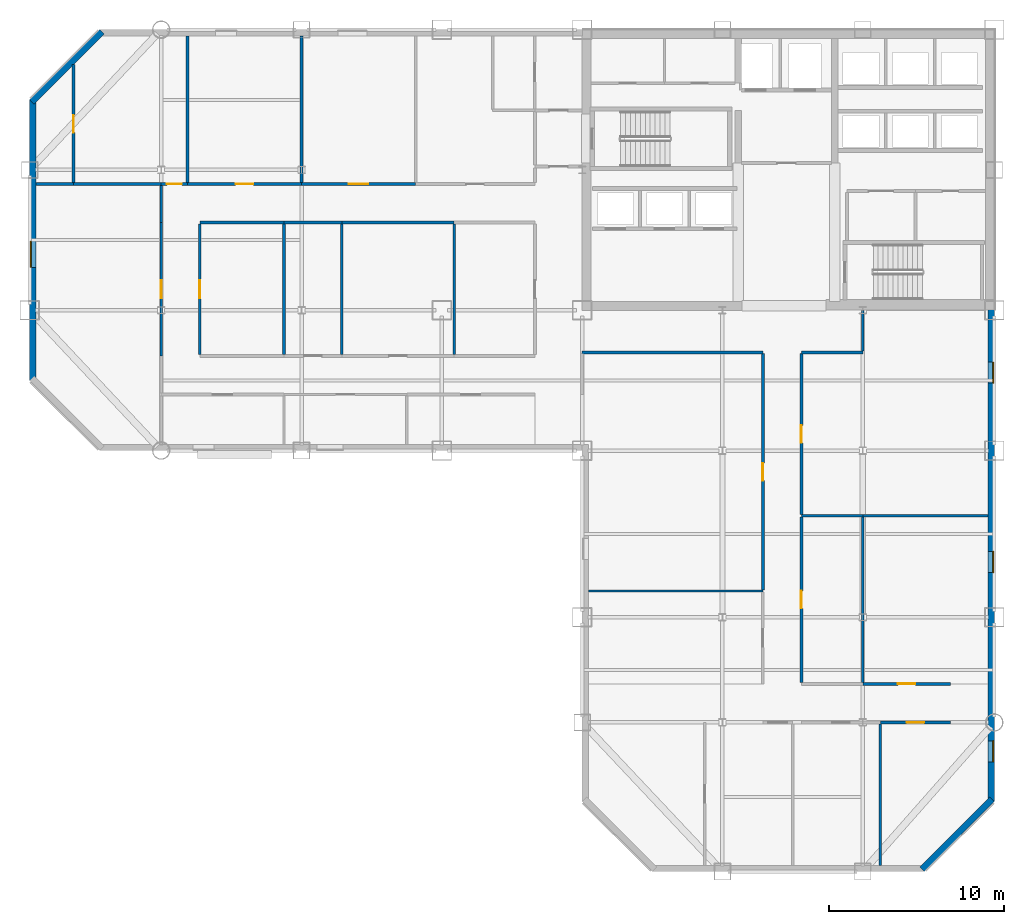
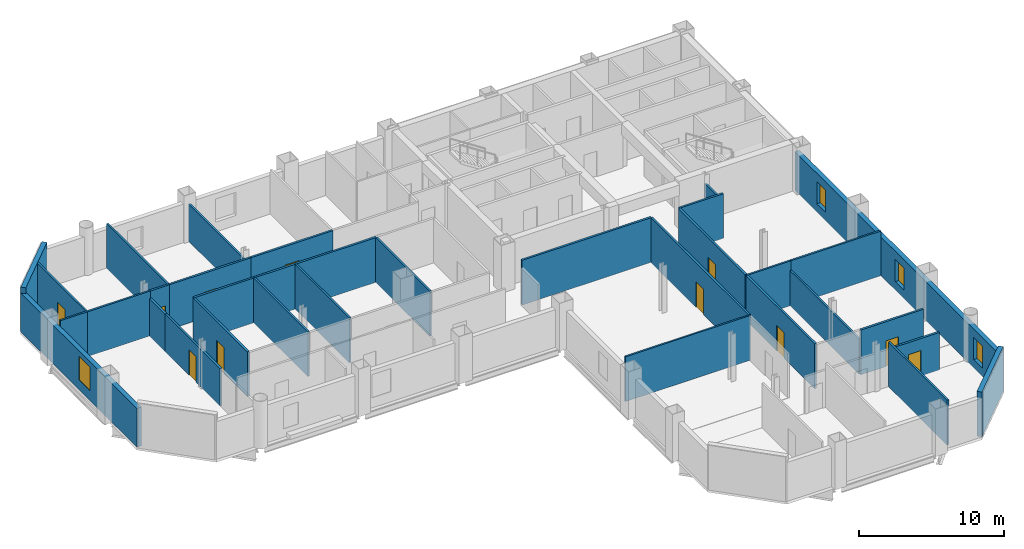
# One storey, part 6 of 10: 34 walls, 11 doors, 4 windows, 15 openings.
"""IFC4 building model written with IfcOpenShell, lengths in metres."""

from ifc_helpers import new_model, si_unit, direction, frame, frame_2d, origin, place, context, subcontext, project, spatial, rectangle, extrude, material, layer, layer_set, type_object, element, fill, save


model = new_model("IFC4")

# Units and contexts
model_context = context("Model", 3, precision=1e-05, world=origin(), true_north=direction((0.0, 1.0)))
body_context = subcontext(model_context, "Body", "Model", "MODEL_VIEW")
ifc_project = project(units=[si_unit("LENGTHUNIT", "METRE"), si_unit("AREAUNIT", "SQUARE_METRE"), si_unit("VOLUMEUNIT", "CUBIC_METRE"), si_unit("PLANEANGLEUNIT", "RADIAN"), si_unit("MASSUNIT", "GRAM", prefix="KILO")], contexts=[model_context])

# Site, building, storey
site_placement = place(None, origin())
site = spatial("IfcSite", under=ifc_project, at=site_placement, CompositionType="ELEMENT")
building_placement = place(site_placement, origin())
building = spatial("IfcBuilding", under=site, at=building_placement, Name="Qianrong Seaharbour Tower", CompositionType="ELEMENT")
storey_placement = place(building_placement, frame((0.0, 0.0, 183.0)))
storey = spatial("IfcBuildingStorey", under=building, at=storey_placement, Name="L44", CompositionType="ELEMENT", Elevation=183.0)

# Wall, opening, door
ifc_material_1 = material(Name="Fire-rated acoustic gypsum board partition")
ifc_layer_1 = layer(ifc_material_1, 0.1650390625)
ifc_layer_set_1 = layer_set([ifc_layer_1], Name="Fire-rated acoustic gypsum board partition")
wall_type_1 = type_object("IfcWallType", Name="WALL-CORR-PART-165", PredefinedType="PARTITIONING", material=ifc_layer_set_1)
wall_1_placement = place(storey_placement, frame((16.5, 43.199951171875, 0.0), z_axis=(0.0, 0.0, 1.0), x_axis=(1.0, 0.0, 0.0)))
wall_1 = element("IfcWall", 1, at=wall_1_placement, inside=storey, type_object=wall_type_1, Name="L44 Interior Partition Wall 023", PredefinedType="PARTITIONING", context=body_context, shape_type="SweptSolid", body=[
    extrude(rectangle(XDim=1.5, YDim=0.1650390625, at=frame_2d((0.75, 0.0))), origin(), (0.0, 0.0, 1.0), 3.764892578125),
])
opening_1_placement = place(wall_1_placement, frame((0.320068359375, 0.0, 0.0)))
opening_1 = element("IfcOpeningElement", 2, at=opening_1_placement, cuts=wall_1, Name="Opening DU-01", PredefinedType="OPENING", context=body_context, shape_type="SweptSolid", body=[
    extrude(rectangle(XDim=0.860107421875, YDim=2.10009765625, at=frame_2d((0.43017578125, 1.050048828125))), frame((0.0, 0.092529296875, 0.0), z_axis=(0.0, -1.0, 0.0), x_axis=(1.0, 0.0, 0.0)), (0.0, 0.0, 1.0), 0.18505859375),
])
ifc_material_2 = material(Name="Acoustic timber and galvanized steel fire door assembly", Category="steel")
door_type_1 = type_object("IfcDoorType", Name="DOOR-UTIL-860x2100", OperationType="NOTDEFINED", PredefinedType="DOOR", material=ifc_material_2)
door_1_placement = place(opening_1_placement, origin())
door_1 = element("IfcDoor", 3, at=door_1_placement, inside=storey, type_object=door_type_1, Name="L44 Navigation Systems Showroom 2 Door", OperationType="SINGLE_SWING_LEFT", OverallHeight=2.10009765625, OverallWidth=0.860107421875, PredefinedType="DOOR", context=body_context, shape_type="SweptSolid", body=[
    extrude(rectangle(XDim=0.860107421875, YDim=2.10009765625, at=frame_2d((0.43017578125, 1.050048828125))), frame((0.0, 0.02490234375, 0.0), z_axis=(0.0, -1.0, 0.0), x_axis=(1.0, 0.0, 0.0)), (0.0, 0.0, 1.0), 0.050048828125),
])
fill(opening_1, door_1)

wall_2_placement = place(storey_placement, frame((18.0, 43.199951171875, 0.0), z_axis=(0.0, 0.0, 1.0), x_axis=(1.0, 0.0, 0.0)))
wall_2 = element("IfcWall", 4, at=wall_2_placement, inside=storey, type_object=wall_type_1, Name="L44 Interior Partition Wall 024", PredefinedType="PARTITIONING", context=body_context, shape_type="SweptSolid", body=[
    extrude(rectangle(XDim=6.5, YDim=0.1650390625, at=frame_2d((3.25, 0.0))), origin(), (0.0, 0.0, 1.0), 3.764892578125),
])
opening_2_placement = place(wall_2_placement, frame((2.75, 0.0, 0.0)))
opening_2 = element("IfcOpeningElement", 5, at=opening_2_placement, cuts=wall_2, Name="Opening DO-01", PredefinedType="OPENING", context=body_context, shape_type="SweptSolid", body=[
    extrude(rectangle(XDim=1.0, YDim=2.14990234375, at=frame_2d((0.5, 1.074951171875))), frame((0.0, 0.092529296875, 0.0), z_axis=(0.0, -1.0, 0.0), x_axis=(1.0, 0.0, 0.0)), (0.0, 0.0, 1.0), 0.18505859375),
])
door_type_2 = type_object("IfcDoorType", Name="DOOR-OFFICE-1000x2150", OperationType="NOTDEFINED", PredefinedType="DOOR", material=ifc_material_2)
door_2_placement = place(opening_2_placement, origin())
door_2 = element("IfcDoor", 6, at=door_2_placement, inside=storey, type_object=door_type_2, Name="L44 Marine Propulsion Showroom 3 Door", OperationType="SINGLE_SWING_RIGHT", OverallHeight=2.14990234375, OverallWidth=1.0, PredefinedType="DOOR", context=body_context, shape_type="SweptSolid", body=[
    extrude(rectangle(XDim=1.0, YDim=2.14990234375, at=frame_2d((0.5, 1.074951171875))), frame((0.0, 0.02490234375, 0.0), z_axis=(0.0, -1.0, 0.0), x_axis=(1.0, 0.0, 0.0)), (0.0, 0.0, 1.0), 0.050048828125),
])
fill(opening_2, door_2)

wall_3_placement = place(storey_placement, frame((24.5, 43.199951171875, 0.0), z_axis=(0.0, 0.0, 1.0), x_axis=(1.0, 0.0, 0.0)))
wall_3 = element("IfcWall", 7, at=wall_3_placement, inside=storey, type_object=wall_type_1, Name="L44 Interior Partition Wall 025", PredefinedType="PARTITIONING", context=body_context, shape_type="SweptSolid", body=[
    extrude(rectangle(XDim=6.5, YDim=0.1650390625, at=frame_2d((3.25, 0.0))), origin(), (0.0, 0.0, 1.0), 3.764892578125),
])
opening_3_placement = place(wall_3_placement, frame((2.699951171875, 0.0, 0.0)))
opening_3 = element("IfcOpeningElement", 8, at=opening_3_placement, cuts=wall_3, Name="Opening DM-01", PredefinedType="OPENING", context=body_context, shape_type="SweptSolid", body=[
    extrude(rectangle(XDim=1.10009765625, YDim=2.199951171875, at=frame_2d((0.550048828125, 1.10009765625))), frame((0.0, 0.092529296875, 0.0), z_axis=(0.0, -1.0, 0.0), x_axis=(1.0, 0.0, 0.0)), (0.0, 0.0, 1.0), 0.18505859375),
])
door_type_3 = type_object("IfcDoorType", Name="DOOR-MEET-1100x2200", OperationType="NOTDEFINED", PredefinedType="DOOR", material=ifc_material_2)
door_3_placement = place(opening_3_placement, origin())
door_3 = element("IfcDoor", 9, at=door_3_placement, inside=storey, type_object=door_type_3, Name="L44 Contract Meeting Room 4 Door", OperationType="SINGLE_SWING_LEFT", OverallHeight=2.199951171875, OverallWidth=1.10009765625, PredefinedType="DOOR", context=body_context, shape_type="SweptSolid", body=[
    extrude(rectangle(XDim=1.10009765625, YDim=2.199951171875, at=frame_2d((0.550048828125, 1.10009765625))), frame((0.0, 0.02490234375, 0.0), z_axis=(0.0, -1.0, 0.0), x_axis=(1.0, 0.0, 0.0)), (0.0, 0.0, 1.0), 0.050048828125),
])
fill(opening_3, door_3)

# Walls
wall_4_placement = place(storey_placement, frame((23.5, 41.0, 0.0), z_axis=(0.0, 0.0, 1.0), x_axis=(-1.0, 0.0, 0.0)))
element("IfcWall", 10, at=wall_4_placement, inside=storey, type_object=wall_type_1, Name="L44 Interior Partition Wall 027", PredefinedType="PARTITIONING", context=body_context, shape_type="SweptSolid", body=[
    extrude(rectangle(XDim=4.800048828125, YDim=0.1650390625, at=frame_2d((2.39990234375, 0.0))), origin(), (0.0, 0.0, 1.0), 3.764892578125),
])
wall_5_placement = place(storey_placement, frame((26.800048828125, 41.0, 0.0), z_axis=(0.0, 0.0, 1.0), x_axis=(-1.0, 0.0, 0.0)))
element("IfcWall", 11, at=wall_5_placement, inside=storey, type_object=wall_type_1, Name="L44 Interior Partition Wall 028", PredefinedType="PARTITIONING", context=body_context, shape_type="SweptSolid", body=[
    extrude(rectangle(XDim=3.300048828125, YDim=0.1650390625, at=frame_2d((1.64990234375, 0.0))), origin(), (0.0, 0.0, 1.0), 3.764892578125),
])
wall_6_placement = place(storey_placement, frame((33.199951171875, 41.0, 0.0), z_axis=(0.0, 0.0, 1.0), x_axis=(-1.0, 0.0, 0.0)))
element("IfcWall", 12, at=wall_6_placement, inside=storey, type_object=wall_type_1, Name="L44 Interior Partition Wall 029", PredefinedType="PARTITIONING", context=body_context, shape_type="SweptSolid", body=[
    extrude(rectangle(XDim=6.39990234375, YDim=0.1650390625, at=frame_2d((3.199951171875, 0.0))), origin(), (0.0, 0.0, 1.0), 3.764892578125),
])
wall_7_placement = place(storey_placement, frame((16.5, 41.0, 0.0), z_axis=(0.0, 0.0, 1.0), x_axis=(0.0, 1.0, 0.0)))
element("IfcWall", 13, at=wall_7_placement, inside=storey, type_object=wall_type_1, Name="L44 Interior Partition Wall 031", PredefinedType="PARTITIONING", context=body_context, shape_type="SweptSolid", body=[
    extrude(rectangle(XDim=2.12548828125, YDim=0.1650390625, at=frame_2d((1.062744140625, 0.0))), origin(), (0.0, 0.0, 1.0), 3.156982421875),
])

# Wall, opening, door
wall_8_placement = place(storey_placement, frame((18.699951171875, 40.925537109375, 0.0), z_axis=(0.0, 0.0, 1.0), x_axis=(0.0, -1.0, 0.0)))
wall_8 = element("IfcWall", 14, at=wall_8_placement, inside=storey, type_object=wall_type_1, Name="L44 Interior Partition Wall 032", PredefinedType="PARTITIONING", context=body_context, shape_type="SweptSolid", body=[
    extrude(rectangle(XDim=7.450927734375, YDim=0.1650390625, at=frame_2d((3.7255859375, 0.0))), origin(), (0.0, 0.0, 1.0), 3.764892578125),
])
opening_4_placement = place(wall_8_placement, frame((3.2255859375, 0.0, 0.0)))
opening_4 = element("IfcOpeningElement", 15, at=opening_4_placement, cuts=wall_8, Name="Opening DO-01", PredefinedType="OPENING", context=body_context, shape_type="SweptSolid", body=[
    extrude(rectangle(XDim=1.0, YDim=2.14990234375, at=frame_2d((0.5, 1.074951171875))), frame((0.0, 0.092529296875, 0.0), z_axis=(0.0, -1.0, 0.0), x_axis=(1.0, 0.0, 0.0)), (0.0, 0.0, 1.0), 0.18505859375),
])
door_4_placement = place(opening_4_placement, origin())
door_4 = element("IfcDoor", 16, at=door_4_placement, inside=storey, type_object=door_type_2, Name="L44 Maritime Artifact Showroom 1 Door", OperationType="SINGLE_SWING_LEFT", OverallHeight=2.14990234375, OverallWidth=1.0, PredefinedType="DOOR", context=body_context, shape_type="SweptSolid", body=[
    extrude(rectangle(XDim=1.0, YDim=2.14990234375, at=frame_2d((0.5, 1.074951171875))), frame((0.0, 0.02490234375, 0.0), z_axis=(0.0, -1.0, 0.0), x_axis=(1.0, 0.0, 0.0)), (0.0, 0.0, 1.0), 0.050048828125),
])
fill(opening_4, door_4)

wall_9_placement = place(storey_placement, frame((16.5, 33.39990234375, 0.0), z_axis=(0.0, 0.0, 1.0), x_axis=(0.0, 1.0, 0.0)))
wall_9 = element("IfcWall", 17, at=wall_9_placement, inside=storey, type_object=wall_type_1, Name="L44 Interior Partition Wall 033", PredefinedType="PARTITIONING", context=body_context, shape_type="SweptSolid", body=[
    extrude(rectangle(XDim=7.60009765625, YDim=0.1650390625, at=frame_2d((3.800048828125, 0.0))), origin(), (0.0, 0.0, 1.0), 3.156982421875),
])
opening_5_placement = place(wall_9_placement, frame((3.300048828125, 0.0, 0.0)))
opening_5 = element("IfcOpeningElement", 18, at=opening_5_placement, cuts=wall_9, Name="Opening DO-01", PredefinedType="OPENING", context=body_context, shape_type="SweptSolid", body=[
    extrude(rectangle(XDim=1.0, YDim=2.14990234375, at=frame_2d((0.5, 1.074951171875))), frame((0.0, 0.092529296875, 0.0), z_axis=(0.0, -1.0, 0.0), x_axis=(1.0, 0.0, 0.0)), (0.0, 0.0, 1.0), 0.18505859375),
])
door_5_placement = place(opening_5_placement, origin())
door_5 = element("IfcDoor", 19, at=door_5_placement, inside=storey, type_object=door_type_2, Name="L44 Flagship Fleet Exhibition Showroom Door", OperationType="SINGLE_SWING_LEFT", OverallHeight=2.14990234375, OverallWidth=1.0, PredefinedType="DOOR", context=body_context, shape_type="SweptSolid", body=[
    extrude(rectangle(XDim=1.0, YDim=2.14990234375, at=frame_2d((0.5, 1.074951171875))), frame((0.0, 0.02490234375, 0.0), z_axis=(0.0, -1.0, 0.0), x_axis=(1.0, 0.0, 0.0)), (0.0, 0.0, 1.0), 0.050048828125),
])
fill(opening_5, door_5)

# Walls
wall_10_placement = place(storey_placement, frame((56.5, 36.0, 0.0), z_axis=(0.0, 0.0, 1.0), x_axis=(0.0, -1.0, 0.0)))
element("IfcWall", 20, at=wall_10_placement, inside=storey, type_object=wall_type_1, Name="L44 Interior Partition Wall 037", PredefinedType="PARTITIONING", context=body_context, shape_type="SweptSolid", body=[
    extrude(rectangle(XDim=2.325439453125, YDim=0.1650390625, at=frame_2d((1.16259765625, 0.0))), origin(), (0.0, 0.0, 1.0), 3.156982421875),
])
wall_11_placement = place(storey_placement, frame((56.5, 33.60009765625, 0.0), z_axis=(0.0, 0.0, 1.0), x_axis=(-1.0, 0.0, 0.0)))
element("IfcWall", 21, at=wall_11_placement, inside=storey, type_object=wall_type_1, Name="L44 Interior Partition Wall 038", PredefinedType="PARTITIONING", context=body_context, shape_type="SweptSolid", body=[
    extrude(rectangle(XDim=3.5, YDim=0.1650390625, at=frame_2d((1.75, 0.0))), origin(), (0.0, 0.0, 1.0), 3.764892578125),
])
wall_12_placement = place(storey_placement, frame((50.800048828125, 33.60009765625, 0.0), z_axis=(0.0, 0.0, 1.0), x_axis=(-1.0, 0.0, 0.0)))
element("IfcWall", 22, at=wall_12_placement, inside=storey, type_object=wall_type_1, Name="L44 Interior Partition Wall 039", PredefinedType="PARTITIONING", context=body_context, shape_type="SweptSolid", body=[
    extrude(rectangle(XDim=10.300048828125, YDim=0.1650390625, at=frame_2d((5.14990234375, 0.0))), origin(), (0.0, 0.0, 1.0), 3.764892578125),
])

# Wall, opening, door
wall_13_placement = place(storey_placement, frame((53.0, 33.525390625, 0.0), z_axis=(0.0, 0.0, 1.0), x_axis=(0.0, -1.0, 0.0)))
wall_13 = element("IfcWall", 23, at=wall_13_placement, inside=storey, type_object=wall_type_1, Name="L44 Interior Partition Wall 040", PredefinedType="PARTITIONING", context=body_context, shape_type="SweptSolid", body=[
    extrude(rectangle(XDim=9.1708984375, YDim=0.1650390625, at=frame_2d((4.58544921875, 0.0))), origin(), (0.0, 0.0, 1.0), 3.764892578125),
])
opening_6_placement = place(wall_13_placement, frame((4.08544921875, 0.0, 0.0)))
opening_6 = element("IfcOpeningElement", 24, at=opening_6_placement, cuts=wall_13, Name="Opening DO-01", PredefinedType="OPENING", context=body_context, shape_type="SweptSolid", body=[
    extrude(rectangle(XDim=1.0, YDim=2.14990234375, at=frame_2d((0.5, 1.074951171875))), frame((0.0, 0.092529296875, 0.0), z_axis=(0.0, -1.0, 0.0), x_axis=(1.0, 0.0, 0.0)), (0.0, 0.0, 1.0), 0.18505859375),
])
door_6_placement = place(opening_6_placement, origin())
door_6 = element("IfcDoor", 25, at=door_6_placement, inside=storey, type_object=door_type_2, Name="L44 Commercial Desk Open-Plan Office Door", OperationType="SINGLE_SWING_LEFT", OverallHeight=2.14990234375, OverallWidth=1.0, PredefinedType="DOOR", context=body_context, shape_type="SweptSolid", body=[
    extrude(rectangle(XDim=1.0, YDim=2.14990234375, at=frame_2d((0.5, 1.074951171875))), frame((0.0, 0.02490234375, 0.0), z_axis=(0.0, -1.0, 0.0), x_axis=(1.0, 0.0, 0.0)), (0.0, 0.0, 1.0), 0.050048828125),
])
fill(opening_6, door_6)

wall_14_placement = place(storey_placement, frame((53.0, 24.2255859375, 0.0), z_axis=(0.0, 0.0, 1.0), x_axis=(0.0, -1.0, 0.0)))
wall_14 = element("IfcWall", 26, at=wall_14_placement, inside=storey, type_object=wall_type_1, Name="L44 Interior Partition Wall 041", PredefinedType="PARTITIONING", context=body_context, shape_type="SweptSolid", body=[
    extrude(rectangle(XDim=9.451171875, YDim=0.1650390625, at=frame_2d((4.7255859375, 0.0))), origin(), (0.0, 0.0, 1.0), 3.764892578125),
])
opening_7_placement = place(wall_14_placement, frame((4.2255859375, 0.0, 0.0)))
opening_7 = element("IfcOpeningElement", 27, at=opening_7_placement, cuts=wall_14, Name="Opening DO-01", PredefinedType="OPENING", context=body_context, shape_type="SweptSolid", body=[
    extrude(rectangle(XDim=1.0, YDim=2.14990234375, at=frame_2d((0.5, 1.074951171875))), frame((0.0, 0.092529296875, 0.0), z_axis=(0.0, -1.0, 0.0), x_axis=(1.0, 0.0, 0.0)), (0.0, 0.0, 1.0), 0.18505859375),
])
door_7_placement = place(opening_7_placement, origin())
door_7 = element("IfcDoor", 28, at=door_7_placement, inside=storey, type_object=door_type_2, Name="L44 Chartering Model Showroom 1 Door", OperationType="SINGLE_SWING_RIGHT", OverallHeight=2.14990234375, OverallWidth=1.0, PredefinedType="DOOR", context=body_context, shape_type="SweptSolid", body=[
    extrude(rectangle(XDim=1.0, YDim=2.14990234375, at=frame_2d((0.5, 1.074951171875))), frame((0.0, 0.02490234375, 0.0), z_axis=(0.0, -1.0, 0.0), x_axis=(1.0, 0.0, 0.0)), (0.0, 0.0, 1.0), 0.050048828125),
])
fill(opening_7, door_7)

wall_15_placement = place(storey_placement, frame((50.800048828125, 20.056884765625, 0.0), z_axis=(0.0, 0.0, 1.0), x_axis=(0.0, 1.0, 0.0)))
wall_15 = element("IfcWall", 29, at=wall_15_placement, inside=storey, type_object=wall_type_1, Name="L44 Interior Partition Wall 043", PredefinedType="PARTITIONING", context=body_context, shape_type="SweptSolid", body=[
    extrude(rectangle(XDim=13.468505859375, YDim=0.1650390625, at=frame_2d((6.734375, 0.0))), origin(), (0.0, 0.0, 1.0), 3.764892578125),
])
opening_8_placement = place(wall_15_placement, frame((6.234375, 0.0, 0.0)))
opening_8 = element("IfcOpeningElement", 30, at=opening_8_placement, cuts=wall_15, Name="Opening DO-01", PredefinedType="OPENING", context=body_context, shape_type="SweptSolid", body=[
    extrude(rectangle(XDim=1.0, YDim=2.14990234375, at=frame_2d((0.5, 1.074951171875))), frame((0.0, 0.092529296875, 0.0), z_axis=(0.0, -1.0, 0.0), x_axis=(1.0, 0.0, 0.0)), (0.0, 0.0, 1.0), 0.18505859375),
])
door_8_placement = place(opening_8_placement, origin())
door_8 = element("IfcDoor", 31, at=door_8_placement, inside=storey, type_object=door_type_2, Name="L44 Maritime Fleet Gallery 2 Door", OperationType="SINGLE_SWING_RIGHT", OverallHeight=2.14990234375, OverallWidth=1.0, PredefinedType="DOOR", context=body_context, shape_type="SweptSolid", body=[
    extrude(rectangle(XDim=1.0, YDim=2.14990234375, at=frame_2d((0.5, 1.074951171875))), frame((0.0, 0.02490234375, 0.0), z_axis=(0.0, -1.0, 0.0), x_axis=(1.0, 0.0, 0.0)), (0.0, 0.0, 1.0), 0.050048828125),
])
fill(opening_8, door_8)

wall_16_placement = place(storey_placement, frame((56.5, 14.699951171875, 0.0), z_axis=(0.0, 0.0, 1.0), x_axis=(1.0, 0.0, 0.0)))
wall_16 = element("IfcWall", 32, at=wall_16_placement, inside=storey, type_object=wall_type_1, Name="L44 Interior Partition Wall 046", PredefinedType="PARTITIONING", context=body_context, shape_type="SweptSolid", body=[
    extrude(rectangle(XDim=5.0, YDim=0.1650390625, at=frame_2d((2.5, 0.0))), origin(), (0.0, 0.0, 1.0), 3.764892578125),
])
opening_9_placement = place(wall_16_placement, frame((2.0, 0.0, 0.0)))
opening_9 = element("IfcOpeningElement", 33, at=opening_9_placement, cuts=wall_16, Name="Opening DO-01", PredefinedType="OPENING", context=body_context, shape_type="SweptSolid", body=[
    extrude(rectangle(XDim=1.0, YDim=2.14990234375, at=frame_2d((0.5, 1.074951171875))), frame((0.0, 0.092529296875, 0.0), z_axis=(0.0, -1.0, 0.0), x_axis=(1.0, 0.0, 0.0)), (0.0, 0.0, 1.0), 0.18505859375),
])
door_9_placement = place(opening_9_placement, origin())
door_9 = element("IfcDoor", 34, at=door_9_placement, inside=storey, type_object=door_type_2, Name="L44 Port Equipment Showroom 2 Door", OperationType="SINGLE_SWING_LEFT", OverallHeight=2.14990234375, OverallWidth=1.0, PredefinedType="DOOR", context=body_context, shape_type="SweptSolid", body=[
    extrude(rectangle(XDim=1.0, YDim=2.14990234375, at=frame_2d((0.5, 1.074951171875))), frame((0.0, 0.02490234375, 0.0), z_axis=(0.0, -1.0, 0.0), x_axis=(1.0, 0.0, 0.0)), (0.0, 0.0, 1.0), 0.050048828125),
])
fill(opening_9, door_9)

wall_17_placement = place(storey_placement, frame((61.5, 12.5, 0.0), z_axis=(0.0, 0.0, 1.0), x_axis=(-1.0, 0.0, 0.0)))
wall_17 = element("IfcWall", 35, at=wall_17_placement, inside=storey, type_object=wall_type_1, Name="L44 Interior Partition Wall 048", PredefinedType="PARTITIONING", context=body_context, shape_type="SweptSolid", body=[
    extrude(rectangle(XDim=4.0, YDim=0.1650390625, at=frame_2d((2.0, 0.0))), origin(), (0.0, 0.0, 1.0), 3.156982421875),
])
opening_10_placement = place(wall_17_placement, frame((1.5, 0.0, 0.0)))
opening_10 = element("IfcOpeningElement", 36, at=opening_10_placement, cuts=wall_17, Name="Opening DO-01", PredefinedType="OPENING", context=body_context, shape_type="SweptSolid", body=[
    extrude(rectangle(XDim=1.0, YDim=2.14990234375, at=frame_2d((0.5, 1.074951171875))), frame((0.0, 0.092529296875, 0.0), z_axis=(0.0, -1.0, 0.0), x_axis=(1.0, 0.0, 0.0)), (0.0, 0.0, 1.0), 0.18505859375),
])
door_10_placement = place(opening_10_placement, origin())
door_10 = element("IfcDoor", 37, at=door_10_placement, inside=storey, type_object=door_type_2, Name="L44 Brokerage Office 4 Door", OperationType="SINGLE_SWING_RIGHT", OverallHeight=2.14990234375, OverallWidth=1.0, PredefinedType="DOOR", context=body_context, shape_type="SweptSolid", body=[
    extrude(rectangle(XDim=1.0, YDim=2.14990234375, at=frame_2d((0.5, 1.074951171875))), frame((0.0, 0.02490234375, 0.0), z_axis=(0.0, -1.0, 0.0), x_axis=(1.0, 0.0, 0.0)), (0.0, 0.0, 1.0), 0.050048828125),
])
fill(opening_10, door_10)

# Wall, opening, window
ifc_material_3 = material(Name="Unitised red brick on Precast concrete C45/55", Category="masonry")
ifc_layer_2 = layer(ifc_material_3, 0.360107421875)
ifc_layer_set_2 = layer_set([ifc_layer_2], Name="Unitised red brick on Precast concrete C45/55")
wall_type_2 = type_object("IfcWallType", Name="WALL-EXT-BRICK-RED-360", PredefinedType="SOLIDWALL", material=ifc_layer_set_2)
wall_18_placement = place(storey_placement, frame((9.179931640625, 32.0, 0.0), z_axis=(0.0, 0.0, 1.0), x_axis=(0.0, 1.0, 0.0)))
wall_18 = element("IfcWall", 38, at=wall_18_placement, inside=storey, type_object=wall_type_2, Name="L44 Exterior Masonry Facade Wall WEST_TIP", PredefinedType="SOLIDWALL", context=body_context, shape_type="SweptSolid", body=[
    extrude(rectangle(XDim=16.0, YDim=0.360107421875, at=frame_2d((8.0, 0.0))), origin(), (0.0, 0.0, 1.0), 3.264892578125),
])
opening_11_placement = place(wall_18_placement, frame((6.449951171875, 0.0, 0.85009765625)))
opening_11 = element("IfcOpeningElement", 39, at=opening_11_placement, cuts=wall_18, Name="Opening WN-03", PredefinedType="OPENING", context=body_context, shape_type="SweptSolid", body=[
    extrude(rectangle(XDim=1.5, YDim=1.949951171875, at=frame_2d((0.75, 0.97509765625))), frame((0.0, 0.18994140625, 0.0), z_axis=(0.0, -1.0, 0.0), x_axis=(1.0, 0.0, 0.0)), (0.0, 0.0, 1.0), 0.380126953125),
])
ifc_material_4 = material(Name="Insulated low-e double glazing in thermally broken aluminium 6063-T6 frame", Category="aluminium")
window_type_1 = type_object("IfcWindowType", Name="WIN-PUNCH-1500x1950", PartitioningType="DOUBLE_PANEL_VERTICAL", PredefinedType="WINDOW", material=ifc_material_4)
window_1_placement = place(opening_11_placement, origin())
window_1 = element("IfcWindow", 40, at=window_1_placement, inside=storey, type_object=window_type_1, Name="L44 Deep-Set Punched Window 03.02", OverallHeight=1.949951171875, OverallWidth=1.5, PartitioningType="DOUBLE_PANEL_VERTICAL", PredefinedType="WINDOW", context=body_context, shape_type="SweptSolid", body=[
    extrude(rectangle(XDim=1.5, YDim=1.949951171875, at=frame_2d((0.75, 0.97509765625))), frame((0.0, 0.150146484375, 0.0), z_axis=(0.0, -1.0, 0.0), x_axis=(1.0, 0.0, 0.0)), (0.0, 0.0, 1.0), 0.06005859375),
])
fill(opening_11, window_1)

# Wall
wall_19_placement = place(storey_placement, frame((9.127197265625, 47.872802734375, 0.0), z_axis=(0.0, 0.0, 1.0), x_axis=(0.707106781187, 0.707106781187, 0.0)))
element("IfcWall", 41, at=wall_19_placement, inside=storey, type_object=wall_type_2, Name="L44 Exterior Masonry Facade Wall E04", PredefinedType="SOLIDWALL", context=body_context, shape_type="SweptSolid", body=[
    extrude(rectangle(XDim=5.65673828125, YDim=0.360107421875, at=frame_2d((2.828369140625, 0.0))), origin(), (0.0, 0.0, 1.0), 3.764892578125),
])

# Wall, openings, windows
wall_20_placement = place(storey_placement, frame((63.820068359375, 36.050048828125, 0.0), z_axis=(0.0, 0.0, 1.0), x_axis=(0.0, -1.0, 0.0)))
wall_20 = element("IfcWall", 42, at=wall_20_placement, inside=storey, type_object=wall_type_2, Name="L44 Exterior Masonry Facade Wall EAST_WING", PredefinedType="SOLIDWALL", context=body_context, shape_type="SweptSolid", body=[
    extrude(rectangle(XDim=28.050048828125, YDim=0.360107421875, at=frame_2d((14.02490234375, 0.0))), origin(), (0.0, 0.0, 1.0), 3.264892578125),
])
opening_12_placement = place(wall_20_placement, frame((3.0, 0.0, 0.699951171875)))
opening_12 = element("IfcOpeningElement", 43, at=opening_12_placement, cuts=wall_20, Name="Opening WN-01", PredefinedType="OPENING", context=body_context, shape_type="SweptSolid", body=[
    extrude(rectangle(XDim=1.199951171875, YDim=1.85009765625, at=frame_2d((0.60009765625, 0.925048828125))), frame((0.0, 0.18994140625, 0.0), z_axis=(0.0, -1.0, 0.0), x_axis=(1.0, 0.0, 0.0)), (0.0, 0.0, 1.0), 0.380126953125),
])
opening_13_placement = place(wall_20_placement, frame((13.800048828125, 0.0, 0.699951171875)))
opening_13 = element("IfcOpeningElement", 44, at=opening_13_placement, cuts=wall_20, Name="Opening WN-01", PredefinedType="OPENING", context=body_context, shape_type="SweptSolid", body=[
    extrude(rectangle(XDim=1.199951171875, YDim=1.85009765625, at=frame_2d((0.60009765625, 0.925048828125))), frame((0.0, 0.18994140625, 0.0), z_axis=(0.0, -1.0, 0.0), x_axis=(1.0, 0.0, 0.0)), (0.0, 0.0, 1.0), 0.380126953125),
])
opening_14_placement = place(wall_20_placement, frame((24.60009765625, 0.0, 0.699951171875)))
opening_14 = element("IfcOpeningElement", 45, at=opening_14_placement, cuts=wall_20, Name="Opening WN-01", PredefinedType="OPENING", context=body_context, shape_type="SweptSolid", body=[
    extrude(rectangle(XDim=1.199951171875, YDim=1.85009765625, at=frame_2d((0.60009765625, 0.925048828125))), frame((0.0, 0.18994140625, 0.0), z_axis=(0.0, -1.0, 0.0), x_axis=(1.0, 0.0, 0.0)), (0.0, 0.0, 1.0), 0.380126953125),
])
window_type_2 = type_object("IfcWindowType", Name="WIN-PUNCH-1200x1850", PartitioningType="DOUBLE_PANEL_VERTICAL", PredefinedType="WINDOW", material=ifc_material_4)
window_2_placement = place(opening_12_placement, origin())
window_2 = element("IfcWindow", 46, at=window_2_placement, inside=storey, type_object=window_type_2, Name="L44 Deep-Set Punched Window 06.01", OverallHeight=1.85009765625, OverallWidth=1.199951171875, PartitioningType="DOUBLE_PANEL_VERTICAL", PredefinedType="WINDOW", context=body_context, shape_type="SweptSolid", body=[
    extrude(rectangle(XDim=1.199951171875, YDim=1.85009765625, at=frame_2d((0.60009765625, 0.925048828125))), frame((0.0, 0.150146484375, 0.0), z_axis=(0.0, -1.0, 0.0), x_axis=(1.0, 0.0, 0.0)), (0.0, 0.0, 1.0), 0.06005859375),
])
fill(opening_12, window_2)
window_3_placement = place(opening_13_placement, origin())
window_3 = element("IfcWindow", 47, at=window_3_placement, inside=storey, type_object=window_type_2, Name="L44 Deep-Set Punched Window 06.04", OverallHeight=1.85009765625, OverallWidth=1.199951171875, PartitioningType="DOUBLE_PANEL_VERTICAL", PredefinedType="WINDOW", context=body_context, shape_type="SweptSolid", body=[
    extrude(rectangle(XDim=1.199951171875, YDim=1.85009765625, at=frame_2d((0.60009765625, 0.925048828125))), frame((0.0, 0.150146484375, 0.0), z_axis=(0.0, -1.0, 0.0), x_axis=(1.0, 0.0, 0.0)), (0.0, 0.0, 1.0), 0.06005859375),
])
fill(opening_13, window_3)
window_4_placement = place(opening_14_placement, origin())
window_4 = element("IfcWindow", 48, at=window_4_placement, inside=storey, type_object=window_type_2, Name="L44 Deep-Set Punched Window 06.07", OverallHeight=1.85009765625, OverallWidth=1.199951171875, PartitioningType="DOUBLE_PANEL_VERTICAL", PredefinedType="WINDOW", context=body_context, shape_type="SweptSolid", body=[
    extrude(rectangle(XDim=1.199951171875, YDim=1.85009765625, at=frame_2d((0.60009765625, 0.925048828125))), frame((0.0, 0.150146484375, 0.0), z_axis=(0.0, -1.0, 0.0), x_axis=(1.0, 0.0, 0.0)), (0.0, 0.0, 1.0), 0.06005859375),
])
fill(opening_14, window_4)

# Walls
wall_21_placement = place(storey_placement, frame((63.872802734375, 8.127197265625, 0.0), z_axis=(0.0, 0.0, 1.0), x_axis=(-0.707106781187, -0.707106781187, 0.0)))
element("IfcWall", 49, at=wall_21_placement, inside=storey, type_object=wall_type_2, Name="L44 Exterior Masonry Facade Wall E07", PredefinedType="SOLIDWALL", context=body_context, shape_type="SweptSolid", body=[
    extrude(rectangle(XDim=5.65673828125, YDim=0.360107421875, at=frame_2d((2.828369140625, 0.0))), origin(), (0.0, 0.0, 1.0), 3.764892578125),
])
ifc_material_5 = material(Name="Acoustic gypsum board stud partition")
ifc_layer_3 = layer(ifc_material_5, 0.14501953125)
ifc_layer_set_3 = layer_set([ifc_layer_3], Name="Acoustic gypsum board stud partition")
wall_type_3 = type_object("IfcWallType", Name="WALL-OFFICE-PART-145", PredefinedType="PARTITIONING", material=ifc_layer_set_3)
wall_22_placement = place(storey_placement, frame((56.5, 24.2900390625, 0.0), z_axis=(0.0, 0.0, 1.0), x_axis=(-1.0, 0.0, 0.0)))
element("IfcWall", 50, at=wall_22_placement, inside=storey, type_object=wall_type_3, Name="L44 Interior Partition Wall 049", PredefinedType="PARTITIONING", context=body_context, shape_type="SweptSolid", body=[
    extrude(rectangle(XDim=3.5, YDim=0.14501953125, at=frame_2d((1.75, 0.0))), origin(), (0.0, 0.0, 1.0), 3.764892578125),
])
wall_23_placement = place(storey_placement, frame((63.64794921875, 24.2900390625, 0.0), z_axis=(0.0, 0.0, 1.0), x_axis=(-1.0, 0.0, 0.0)))
element("IfcWall", 51, at=wall_23_placement, inside=storey, type_object=wall_type_3, Name="L44 Interior Partition Wall 050", PredefinedType="PARTITIONING", context=body_context, shape_type="SweptSolid", body=[
    extrude(rectangle(XDim=7.14794921875, YDim=0.14501953125, at=frame_2d((3.573974609375, 0.0))), origin(), (0.0, 0.0, 1.0), 3.764892578125),
])
wall_24_placement = place(storey_placement, frame((56.5, 24.2255859375, 0.0), z_axis=(0.0, 0.0, 1.0), x_axis=(0.0, -1.0, 0.0)))
element("IfcWall", 52, at=wall_24_placement, inside=storey, type_object=wall_type_3, Name="L44 Interior Partition Wall 051", PredefinedType="PARTITIONING", context=body_context, shape_type="SweptSolid", body=[
    extrude(rectangle(XDim=9.451171875, YDim=0.14501953125, at=frame_2d((4.7255859375, 0.0))), origin(), (0.0, 0.0, 1.0), 2.95703125),
])

# Wall, opening, door
wall_25_placement = place(storey_placement, frame((11.5, 50.002197265625, 0.0), z_axis=(0.0, 0.0, 1.0), x_axis=(0.0, -1.0, 0.0)))
wall_25 = element("IfcWall", 53, at=wall_25_placement, inside=storey, type_object=wall_type_3, Name="L44 Interior Partition Wall 052", PredefinedType="PARTITIONING", context=body_context, shape_type="SweptSolid", body=[
    extrude(rectangle(XDim=6.73779296875, YDim=0.14501953125, at=frame_2d((3.368896484375, 0.0))), origin(), (0.0, 0.0, 1.0), 3.764892578125),
])
opening_15_placement = place(wall_25_placement, frame((2.868896484375, 0.0, 0.0)))
opening_15 = element("IfcOpeningElement", 54, at=opening_15_placement, cuts=wall_25, Name="Opening DO-01", PredefinedType="OPENING", context=body_context, shape_type="SweptSolid", body=[
    extrude(rectangle(XDim=1.0, YDim=2.14990234375, at=frame_2d((0.5, 1.074951171875))), frame((0.0, 0.08251953125, 0.0), z_axis=(0.0, -1.0, 0.0), x_axis=(1.0, 0.0, 0.0)), (0.0, 0.0, 1.0), 0.1650390625),
])
door_11_placement = place(opening_15_placement, origin())
door_11 = element("IfcDoor", 55, at=door_11_placement, inside=storey, type_object=door_type_2, Name="L44 Vessel Model Showroom 1 Door", OperationType="SINGLE_SWING_RIGHT", OverallHeight=2.14990234375, OverallWidth=1.0, PredefinedType="DOOR", context=body_context, shape_type="SweptSolid", body=[
    extrude(rectangle(XDim=1.0, YDim=2.14990234375, at=frame_2d((0.5, 1.074951171875))), frame((0.0, 0.02490234375, 0.0), z_axis=(0.0, -1.0, 0.0), x_axis=(1.0, 0.0, 0.0)), (0.0, 0.0, 1.0), 0.050048828125),
])
fill(opening_15, door_11)

# Walls
wall_26_placement = place(storey_placement, frame((11.5, 43.199951171875, 0.0), z_axis=(0.0, 0.0, 1.0), x_axis=(-1.0, 0.0, 0.0)))
element("IfcWall", 56, at=wall_26_placement, inside=storey, type_object=wall_type_3, Name="L44 Interior Partition Wall 053", PredefinedType="PARTITIONING", context=body_context, shape_type="SweptSolid", body=[
    extrude(rectangle(XDim=2.14794921875, YDim=0.14501953125, at=frame_2d((1.073974609375, 0.0))), origin(), (0.0, 0.0, 1.0), 3.764892578125),
])
wall_27_placement = place(storey_placement, frame((18.0, 51.64794921875, 0.0), z_axis=(0.0, 0.0, 1.0), x_axis=(0.0, -1.0, 0.0)))
element("IfcWall", 57, at=wall_27_placement, inside=storey, type_object=wall_type_3, Name="L44 Interior Partition Wall 054", PredefinedType="PARTITIONING", context=body_context, shape_type="SweptSolid", body=[
    extrude(rectangle(XDim=8.37353515625, YDim=0.14501953125, at=frame_2d((4.186767578125, 0.0))), origin(), (0.0, 0.0, 1.0), 3.764892578125),
])
wall_28_placement = place(storey_placement, frame((16.5, 43.199951171875, 0.0), z_axis=(0.0, 0.0, 1.0), x_axis=(-1.0, 0.0, 0.0)))
element("IfcWall", 58, at=wall_28_placement, inside=storey, type_object=wall_type_3, Name="L44 Interior Partition Wall 055", PredefinedType="PARTITIONING", context=body_context, shape_type="SweptSolid", body=[
    extrude(rectangle(XDim=5.0, YDim=0.14501953125, at=frame_2d((2.5, 0.0))), origin(), (0.0, 0.0, 1.0), 3.764892578125),
])
wall_29_placement = place(storey_placement, frame((24.5, 51.64794921875, 0.0), z_axis=(0.0, 0.0, 1.0), x_axis=(0.0, -1.0, 0.0)))
element("IfcWall", 59, at=wall_29_placement, inside=storey, type_object=wall_type_3, Name="L44 Interior Partition Wall 056", PredefinedType="PARTITIONING", context=body_context, shape_type="SweptSolid", body=[
    extrude(rectangle(XDim=8.37353515625, YDim=0.14501953125, at=frame_2d((4.186767578125, 0.0))), origin(), (0.0, 0.0, 1.0), 3.156982421875),
])
for number, where, z_axis, x_axis, name in (
    (60, (23.5, 40.925537109375, 0.0), (0.0, 0.0, 1.0), (0.0, -1.0, 0.0), "L44 Interior Partition Wall 058"),
    (61, (26.800048828125, 40.925537109375, 0.0), (0.0, 0.0, 1.0), (0.0, -1.0, 0.0), "L44 Interior Partition Wall 059"),
    (62, (33.199951171875, 40.925537109375, 0.0), (0.0, 0.0, 1.0), (0.0, -1.0, 0.0), "L44 Interior Partition Wall 060"),
):
    element("IfcWall", number, at=place(storey_placement, frame(where, z_axis=z_axis, x_axis=x_axis)), inside=storey, type_object=wall_type_3, Name=name, PredefinedType="PARTITIONING", context=body_context, shape_type="SweptSolid", body=[
        extrude(rectangle(XDim=7.450927734375, YDim=0.14501953125, at=frame_2d((3.7255859375, 0.0))), origin(), (0.0, 0.0, 1.0), 3.764892578125),
    ])
wall_30_placement = place(storey_placement, frame((57.5, 12.425537109375, 0.0), z_axis=(0.0, 0.0, 1.0), x_axis=(0.0, -1.0, 0.0)))
element("IfcWall", 63, at=wall_30_placement, inside=storey, type_object=wall_type_3, Name="L44 Interior Partition Wall 067", PredefinedType="PARTITIONING", context=body_context, shape_type="SweptSolid", body=[
    extrude(rectangle(XDim=8.073486328125, YDim=0.14501953125, at=frame_2d((4.03662109375, 0.0))), origin(), (0.0, 0.0, 1.0), 3.764892578125),
])
ifc_material_6 = material(Name="Water-resistant cement board sanitary partition")
ifc_layer_4 = layer(ifc_material_6, 0.1298828125)
ifc_layer_set_4 = layer_set([ifc_layer_4], Name="Water-resistant cement board sanitary partition")
wall_type_4 = type_object("IfcWallType", Name="WALL-WET-PART-130", PredefinedType="PARTITIONING", material=ifc_layer_set_4)
wall_31_placement = place(storey_placement, frame((40.85205078125, 20.0, 0.0), z_axis=(0.0, 0.0, 1.0), x_axis=(1.0, 0.0, 0.0)))
element("IfcWall", 64, at=wall_31_placement, inside=storey, type_object=wall_type_4, Name="L44 Interior Partition Wall 064", PredefinedType="PARTITIONING", context=body_context, shape_type="SweptSolid", body=[
    extrude(rectangle(XDim=9.947998046875, YDim=0.1298828125, at=frame_2d((4.97412109375, 0.0))), origin(), (0.0, 0.0, 1.0), 3.764892578125),
])

save(model, "model.ifc")
